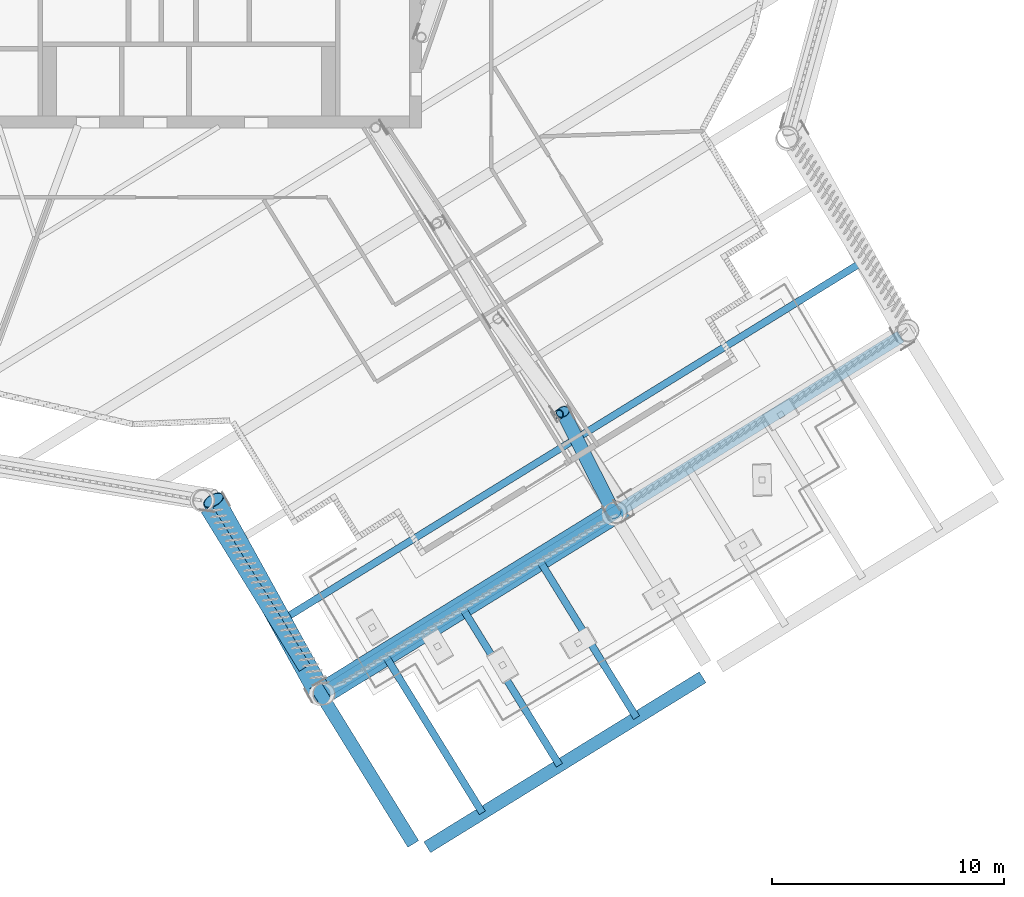
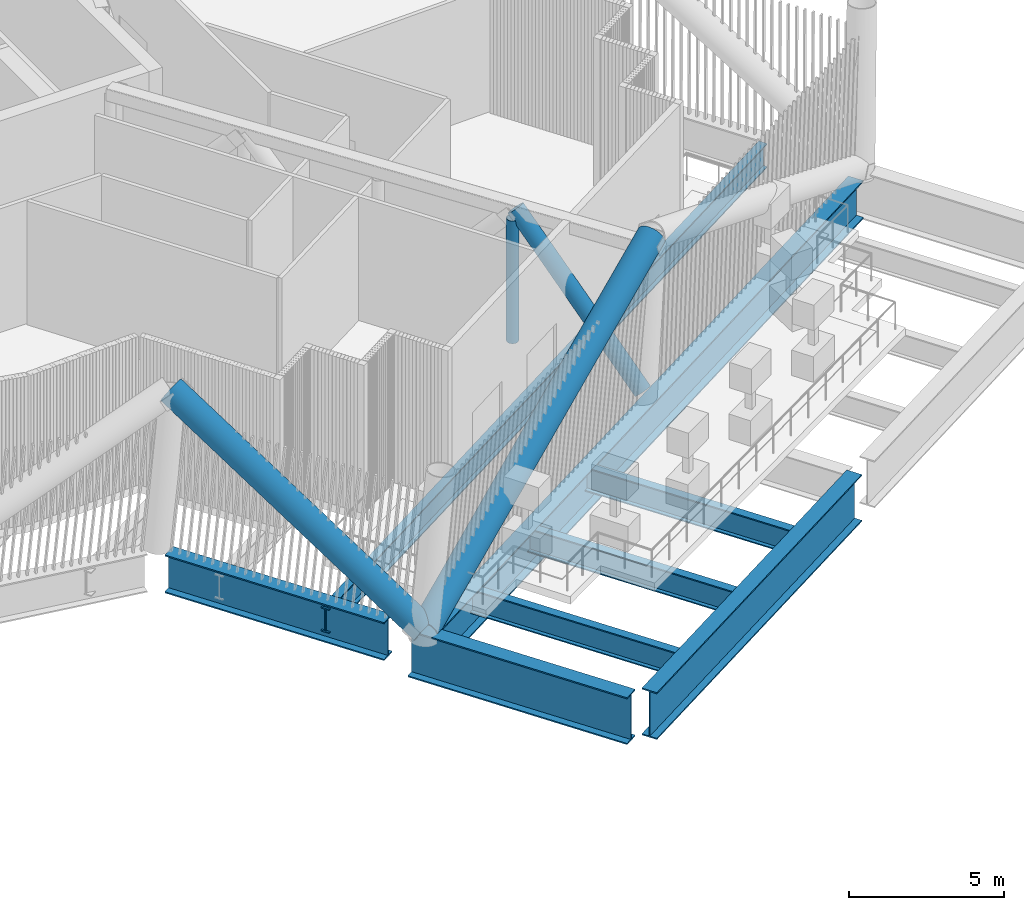
# One storey, part 3 of 40: 8 beams, 4 members.
"""IFC4 building model written with IfcOpenShell, lengths in metres."""

from ifc_helpers import new_model, si_unit, direction, frame, origin, origin_2d, place, context, subcontext, project, spatial, hollow_circle, i_section, extrude, material, material_profile, profile_set, type_object, element, save


model = new_model("IFC4")

# Units and contexts
model_context = context("Model", 3, precision=1e-05, world=origin(), true_north=direction((0.0, 1.0)))
body_context = subcontext(model_context, "Body", "Model", "MODEL_VIEW")
ifc_project = project(units=[si_unit("LENGTHUNIT", "METRE"), si_unit("AREAUNIT", "SQUARE_METRE"), si_unit("VOLUMEUNIT", "CUBIC_METRE"), si_unit("PLANEANGLEUNIT", "RADIAN"), si_unit("MASSUNIT", "GRAM", prefix="KILO")], contexts=[model_context])

# Site, building, storey
site_placement = place(None, origin())
site = spatial("IfcSite", under=ifc_project, at=site_placement, CompositionType="ELEMENT")
building_placement = place(site_placement, origin())
building = spatial("IfcBuilding", under=site, at=building_placement, Name="Tarsis Ring Headquarters", CompositionType="ELEMENT")
storey_placement = place(building_placement, frame((0.0, 0.0, 354.800048828125)))
storey = spatial("IfcBuildingStorey", under=building, at=storey_placement, Name="L84", CompositionType="ELEMENT", Elevation=354.800048828125)

# Beam
ifc_material = material(Name="Structural steel S355", Category="steel")
ifc_material_profile_1 = material_profile(ifc_material, i_section(OverallWidth=0.309814453125, OverallDepth=0.949951171875, WebThickness=0.0244140625, FlangeThickness=0.0439453125, at=origin_2d()), Name="W36x256")
ifc_profile_set_1 = profile_set([ifc_material_profile_1], Name="Structural steel S355")
beam_type_1 = type_object("IfcBeamType", Name="FB Floor beam W36x256", PredefinedType="JOIST", material=ifc_profile_set_1)
beam_1_placement = place(storey_placement, frame((3.718505859375, -34.3681640625, -0.775146484375), z_axis=(0.850995930542, 0.5251722824, 0.0), x_axis=(-0.5251722824, 0.850995930542, 0.0)))
element("IfcBeam", 1, at=beam_1_placement, inside=storey, type_object=beam_type_1, Name="Floor beam FB11", PredefinedType="JOIST", context=body_context, shape_type="SweptSolid", body=[
    extrude(i_section(OverallWidth=0.309814453125, OverallDepth=0.949951171875, WebThickness=0.0244140625, FlangeThickness=0.0439453125, at=origin_2d()), origin(), (0.0, 0.0, 1.0), 29.769775390625),
])

# Members
ifc_material_profile_2 = material_profile(ifc_material, hollow_circle(Radius=0.3046875, WallThickness=0.02490234375, at=origin_2d()), Name="CHS 610x25")
ifc_profile_set_2 = profile_set([ifc_material_profile_2], Name="Structural steel S355")
member_type_1 = type_object("IfcMemberType", Name="OD Outrigger diagonal CHS 610x25", PredefinedType="BRACE", material=ifc_profile_set_2)
member_1_placement = place(storey_placement, frame((16.08935546875, -25.225830078125, 5.5859375), z_axis=(0.305054775209, -0.604041492119, -0.736257740143), x_axis=(0.892626575766, 0.450796845859, 0.0)))
element("IfcMember", 2, at=member_1_placement, inside=storey, type_object=member_type_1, Name="Outrigger diagonal OD1", PredefinedType="BRACE", context=body_context, shape_type="SweptSolid", body=[
    extrude(hollow_circle(Radius=0.3046875, WallThickness=0.02490234375, at=origin_2d()), origin(), (0.0, 0.0, 1.0), 7.2421875),
])
ifc_material_profile_3 = material_profile(ifc_material, hollow_circle(Radius=0.203125, WallThickness=0.01611328125, at=origin_2d()), Name="CHS 406x16")
ifc_profile_set_3 = profile_set([ifc_material_profile_3], Name="Structural steel S355")
member_type_2 = type_object("IfcMemberType", Name="OV Outrigger post CHS 406x16", PredefinedType="STRUT", material=ifc_profile_set_3)
member_2_placement = place(storey_placement, frame((15.911376953125, -25.338134765625, 0.508056640625), z_axis=(0.0, 0.0, 1.0), x_axis=(1.0, 0.0, 0.0)))
element("IfcMember", 3, at=member_2_placement, inside=storey, type_object=member_type_2, Name="Outrigger post OV1", PredefinedType="STRUT", context=body_context, shape_type="SweptSolid", body=[
    extrude(hollow_circle(Radius=0.203125, WallThickness=0.01611328125, at=origin_2d()), origin(), (0.0, 0.0, 1.0), 4.823974609375),
])

# Beams
beam_type_2 = type_object("IfcBeamType", Name="TB Transfer beam W36x256", PredefinedType="BEAM", material=ifc_profile_set_1)
for number, where, z_axis, x_axis, name in (
    (4, (8.440185546875, -35.702392578125, -0.775146484375), (0.525163498869, -0.851001351031, 0.0), (0.851001351031, 0.525163498869, 0.0), "Transfer beam TB11"),
    (5, (11.759033203125, -33.654052734375, -0.775146484375), (0.525163498869, -0.851001351031, 0.0), (0.851001351031, 0.525163498869, 0.0), "Transfer beam TB11"),
    (6, (15.077880859375, -31.60595703125, -0.775146484375), (0.525163498869, -0.851001351031, 0.0), (0.851001351031, 0.525163498869, 0.0), "Transfer beam TB11"),
):
    element("IfcBeam", number, at=place(storey_placement, frame(where, z_axis=z_axis, x_axis=x_axis)), inside=storey, type_object=beam_type_2, Name=name, PredefinedType="BEAM", context=body_context, shape_type="SweptSolid", body=[
        extrude(i_section(OverallWidth=0.309814453125, OverallDepth=0.949951171875, WebThickness=0.0244140625, FlangeThickness=0.0439453125, at=origin_2d()), origin(), (0.0, 0.0, 1.0), 7.969970703125),
    ])

# Members
ifc_material_profile_4 = material_profile(ifc_material, hollow_circle(Radius=0.482666015625, WallThickness=0.0400390625, at=origin_2d()), Name="CHS 965x40")
ifc_profile_set_4 = profile_set([ifc_material_profile_4], Name="Structural steel S355")
member_type_3 = type_object("IfcMemberType", Name="TD Belt truss diagonal CHS 965x40", PredefinedType="BRACE", material=ifc_profile_set_4)
member_3_placement = place(storey_placement, frame((5.681396484375, -37.38720703125, 0.0), z_axis=(-0.409790542493, 0.74100831564, 0.531957129321), x_axis=(-0.875098538385, -0.483944777961, 0.0)))
element("IfcMember", 7, at=member_3_placement, inside=storey, type_object=member_type_3, Name="Belt truss diagonal TD7", PredefinedType="BRACE", context=body_context, shape_type="SweptSolid", body=[
    extrude(hollow_circle(Radius=0.482666015625, WallThickness=0.0400390625, at=origin_2d()), origin(), (0.0, 0.0, 1.0), 11.279052734375),
])
member_4_placement = place(storey_placement, frame((5.681396484375, -37.38720703125, 0.0), z_axis=(0.792969139322, 0.489772020801, 0.36238558432), x_axis=(-0.525490522943, 0.85079945363, 0.0)))
element("IfcMember", 8, at=member_4_placement, inside=storey, type_object=member_type_3, Name="Belt truss diagonal TD7", PredefinedType="BRACE", context=body_context, shape_type="SweptSolid", body=[
    extrude(hollow_circle(Radius=0.482666015625, WallThickness=0.0400390625, at=origin_2d()), origin(), (0.0, 0.0, 1.0), 16.556884765625),
])

# Beams
ifc_material_profile_5 = material_profile(ifc_material, i_section(OverallWidth=0.550048828125, OverallDepth=1.5, WebThickness=0.030029296875, FlangeThickness=0.050048828125, at=origin_2d()), Name="PG 1500x550x30x50")
ifc_profile_set_5 = profile_set([ifc_material_profile_5], Name="Structural steel S355")
beam_type_3 = type_object("IfcBeamType", Name="XG Ring girder PG 1500x550x30x50", PredefinedType="BEAM", material=ifc_profile_set_5)
beam_2_placement = place(storey_placement, frame((0.760498046875, -29.413330078125, -0.75), z_axis=(0.525177103713, -0.850992955162, 0.0), x_axis=(0.850992955162, 0.525177103713, 0.0)))
element("IfcBeam", 9, at=beam_2_placement, inside=storey, type_object=beam_type_3, Name="Ring girder XG6", PredefinedType="BEAM", context=body_context, shape_type="SweptSolid", body=[
    extrude(i_section(OverallWidth=0.550048828125, OverallDepth=1.5, WebThickness=0.030029296875, FlangeThickness=0.050048828125, at=origin_2d()), origin(), (0.0, 0.0, 1.0), 8.033447265625),
])
beam_3_placement = place(storey_placement, frame((5.919677734375, -37.240234375, -1.050048828125), z_axis=(0.850992285071, 0.525178189521, 0.0), x_axis=(-0.525178189521, 0.850992285071, 0.0)))
element("IfcBeam", 10, at=beam_3_placement, inside=storey, type_object=beam_type_3, Name="Ring girder XG6", PredefinedType="BEAM", context=body_context, shape_type="SweptSolid", body=[
    extrude(i_section(OverallWidth=0.550048828125, OverallDepth=1.5, WebThickness=0.030029296875, FlangeThickness=0.050048828125, at=origin_2d()), origin(), (0.0, 0.0, 1.0), 29.0400390625),
])
ifc_material_profile_6 = material_profile(ifc_material, i_section(OverallWidth=0.550048828125, OverallDepth=1.85009765625, WebThickness=0.030029296875, FlangeThickness=0.050048828125, at=origin_2d()), Name="PG 1850x550x30x50")
ifc_profile_set_6 = profile_set([ifc_material_profile_6], Name="Structural steel S355")
beam_type_4 = type_object("IfcBeamType", Name="XG Ring girder PG 1850x550x30x50", PredefinedType="BEAM", material=ifc_profile_set_6)
beam_4_placement = place(storey_placement, frame((5.435546875, -36.989013671875, -0.925048828125), z_axis=(0.525177103713, -0.850992955162, 0.0), x_axis=(0.850992955162, 0.525177103713, 0.0)))
element("IfcBeam", 11, at=beam_4_placement, inside=storey, type_object=beam_type_4, Name="Ring girder XG8", PredefinedType="BEAM", context=body_context, shape_type="SweptSolid", body=[
    extrude(i_section(OverallWidth=0.550048828125, OverallDepth=1.85009765625, WebThickness=0.030029296875, FlangeThickness=0.050048828125, at=origin_2d()), origin(), (0.0, 0.0, 1.0), 8.033447265625),
])
beam_5_placement = place(storey_placement, frame((10.25244140625, -43.967041015625, -0.925048828125), z_axis=(0.850993353453, 0.525176458325, 0.0), x_axis=(-0.525176458325, 0.850993353453, 0.0)))
element("IfcBeam", 12, at=beam_5_placement, inside=storey, type_object=beam_type_4, Name="Ring girder XG8", PredefinedType="BEAM", context=body_context, shape_type="SweptSolid", body=[
    extrude(i_section(OverallWidth=0.550048828125, OverallDepth=1.85009765625, WebThickness=0.030029296875, FlangeThickness=0.050048828125, at=origin_2d()), origin(), (0.0, 0.0, 1.0), 13.931396484375),
])

save(model, "model.ifc")
